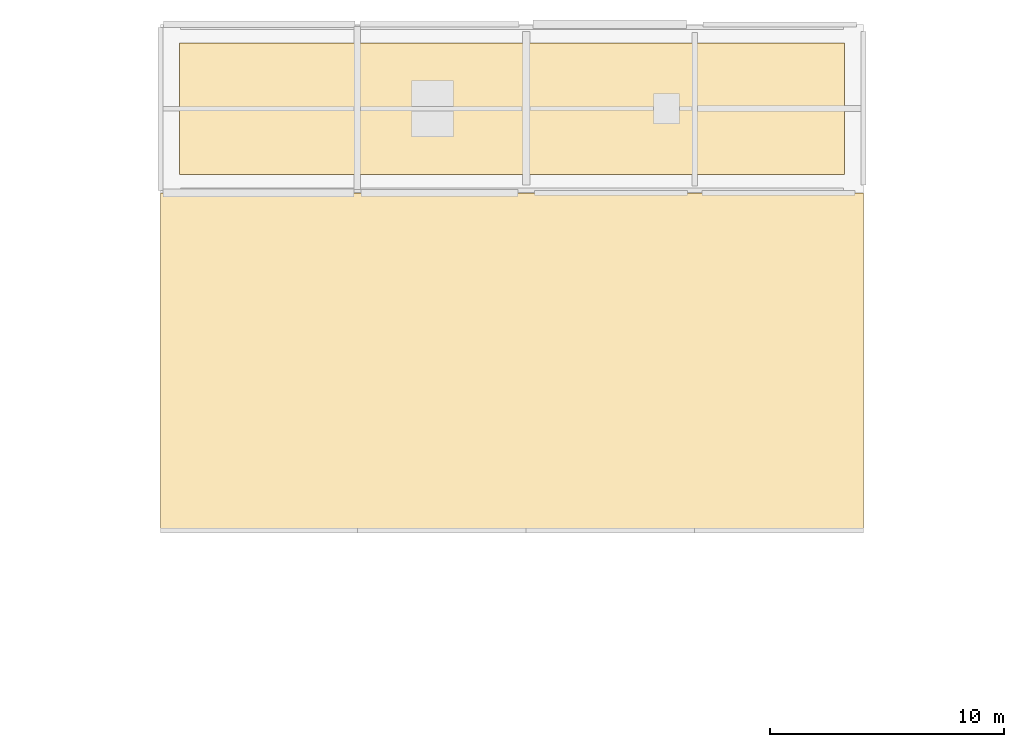
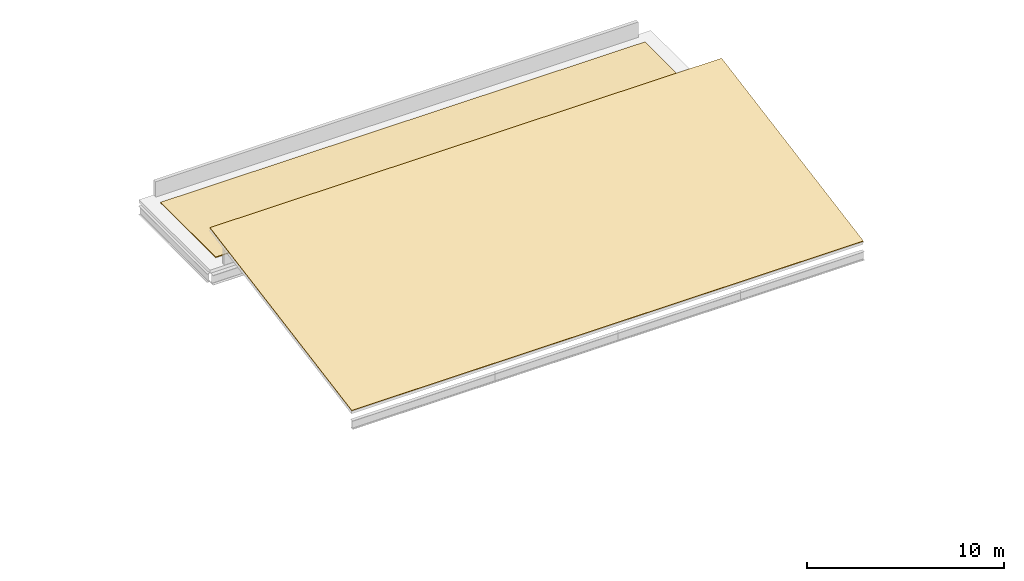
# One storey, part 45 of 45: 2 coverings, 1 element without a shape of its own.
"""IFC4 building model written with IfcOpenShell, lengths in metres."""

from ifc_helpers import new_model, si_unit, direction, frame, origin, place, context, subcontext, project, spatial, polyline, outline, extrude, material, layer, layer_set, type_object, element, aggregate, save


model = new_model("IFC4")

# Units and contexts
model_context = context("Model", 3, precision=1e-05, world=origin(), true_north=direction((0.0, 1.0)))
body_context = subcontext(model_context, "Body", "Model", "MODEL_VIEW")
ifc_project = project(units=[si_unit("LENGTHUNIT", "METRE"), si_unit("AREAUNIT", "SQUARE_METRE"), si_unit("VOLUMEUNIT", "CUBIC_METRE"), si_unit("PLANEANGLEUNIT", "RADIAN"), si_unit("MASSUNIT", "GRAM", prefix="KILO")], contexts=[model_context])

# Site, building, storey
site_placement = place(None, origin())
site = spatial("IfcSite", under=ifc_project, at=site_placement, CompositionType="ELEMENT")
building_placement = place(site_placement, origin())
building = spatial("IfcBuilding", under=site, at=building_placement, Name="Calvrana Isthmian Art Gallery", CompositionType="ELEMENT")
storey_placement = place(building_placement, frame((0.0, 0.0, 19.800048828125)))
storey = spatial("IfcBuildingStorey", under=building, at=storey_placement, Name="L04", CompositionType="ELEMENT", Elevation=19.800048828125)

# Covering
ifc_material = material(Name="Standing-seam zinc-aluminium roofing", Category="aluminium")
ifc_layer_1 = layer(ifc_material, 0.050048828125, Name="Standing-seam zinc-aluminium roofing")
ifc_layer_set_1 = layer_set([ifc_layer_1], Name="Standing-seam zinc-aluminium roofing")
covering_type_1 = type_object("IfcCoveringType", Name="COV-ROOF-ZINC", PredefinedType="ROOFING", material=ifc_layer_set_1)
covering_1_placement = place(storey_placement, origin())
element("IfcCovering", 1, at=covering_1_placement, inside=storey, type_object=covering_type_1, Name="Insulated roof membrane ROOF_V5_L04", PredefinedType="ROOFING", context=body_context, shape_type="SweptSolid", body=[
    extrude(outline(polyline([(105.199951171875, 92.0), (133.60009765625, 92.0), (133.60009765625, 97.60009765625), (105.199951171875, 97.60009765625), (105.199951171875, 92.0)])), origin(), (0.0, 0.0, 1.0), 0.050048828125),
])

# Roof, covering
ifc_layer_2 = layer(ifc_material, 0.199951171875, Name="Standing-seam zinc-aluminium roofing")
ifc_layer_set_2 = layer_set([ifc_layer_2], Name="Standing-seam zinc-aluminium roofing")
roof_type = type_object("IfcRoofType", Name="ROOF-ASM-GABLE", PredefinedType="GABLE_ROOF", material=ifc_layer_set_2)
roof_placement = place(storey_placement, origin())
roof = element("IfcRoof", 2, at=roof_placement, inside=storey, type_object=roof_type, Name="Roof assembly SROOF_V5_CLER", PredefinedType="GABLE_ROOF")
ifc_layer_3 = layer(ifc_material, 0.0400390625, Name="Standing-seam zinc-aluminium roofing")
ifc_layer_set_3 = layer_set([ifc_layer_3], Name="Standing-seam zinc-aluminium roofing")
covering_type_2 = type_object("IfcCoveringType", Name="COV-SLROOF-ZINC", PredefinedType="ROOFING", material=ifc_layer_set_3)
covering_2_placement = place(storey_placement, frame((104.39990234375, 76.800048828125, 0.0400390625), z_axis=(0.0, -0.17767400273, 0.984089400793), x_axis=(1.0, 0.0, 0.0)))
covering_2 = element("IfcCovering", 3, at=covering_2_placement, type_object=covering_type_2, Name="Standing-seam roof covering SROOF_V5_CLER", PredefinedType="ROOFING", context=body_context, shape_type="SweptSolid", body=[
    extrude(outline(polyline([(0.0, 0.0), (30.0, 0.0), (30.0, 14.632717649577074), (0.0, 14.632717649577074), (0.0, 0.0)])), origin(), (0.0, 0.0, -1.0), 0.0400390625),
])
aggregate(roof, [covering_2])

save(model, "model.ifc")
